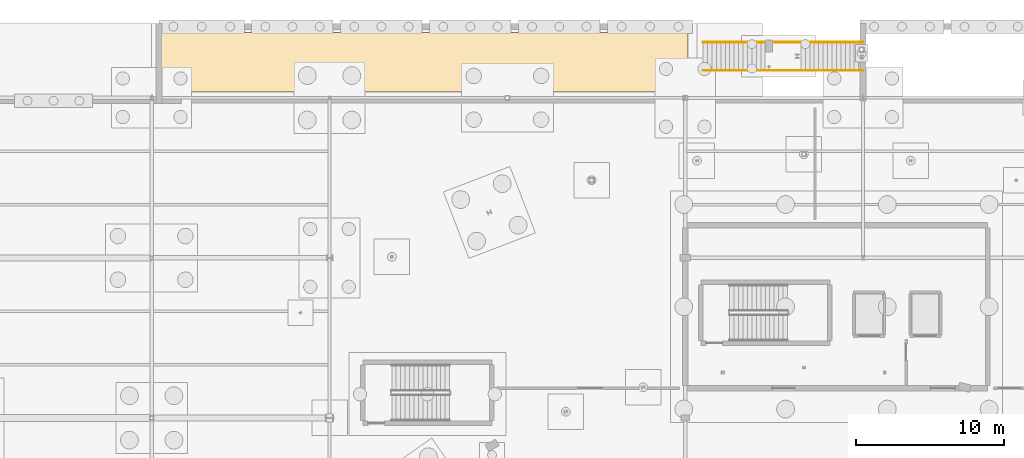
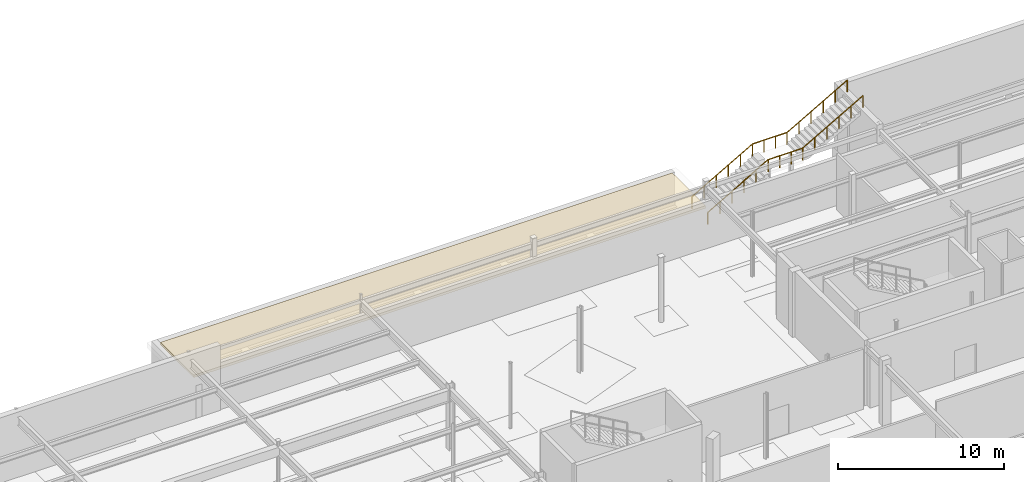
# One storey, part 135 of 136: 2 railings, 1 covering.
"""IFC4 building model written with IfcOpenShell, lengths in metres."""

from ifc_helpers import new_model, si_unit, direction, frame, origin, origin_2d, place, context, subcontext, project, spatial, rectangle, circle, extrude, material, layer, layer_set, type_object, element, save


model = new_model("IFC4")

# Units and contexts
model_context = context("Model", 3, precision=1e-05, world=origin(), true_north=direction((0.0, 1.0)))
body_context = subcontext(model_context, "Body", "Model", "MODEL_VIEW")
ifc_project = project(units=[si_unit("LENGTHUNIT", "METRE"), si_unit("AREAUNIT", "SQUARE_METRE"), si_unit("VOLUMEUNIT", "CUBIC_METRE"), si_unit("PLANEANGLEUNIT", "RADIAN"), si_unit("MASSUNIT", "GRAM", prefix="KILO")], contexts=[model_context])

# Site, building, storey
site_placement = place(None, origin())
site = spatial("IfcSite", under=ifc_project, at=site_placement, CompositionType="ELEMENT")
building_placement = place(site_placement, origin())
building = spatial("IfcBuilding", under=site, at=building_placement, Name="Tarnwether General Hospital", CompositionType="ELEMENT")
storey_placement = place(building_placement, frame((0.0, 0.0, -4.800048828125)))
storey = spatial("IfcBuildingStorey", under=building, at=storey_placement, Name="LG", CompositionType="ELEMENT", Elevation=-4.800048828125)

# Covering
ifc_material_1 = material(Name="Planted green roof media")
ifc_layer = layer(ifc_material_1, 0.179931640625)
ifc_layer_set = layer_set([ifc_layer], Name="Planted green roof media")
covering_type = type_object("IfcCoveringType", Name="CV-RFG-GRN", PredefinedType="ROOFING", material=ifc_layer_set)
covering_placement = place(storey_placement, frame((66.39990234375, 128.39990234375, 2.39990234375), z_axis=(0.0, 0.0, 1.0), x_axis=(1.0, 0.0, 0.0)))
element("IfcCovering", 1, at=covering_placement, inside=storey, type_object=covering_type, Name="Planted Healing Roof Garden Turf CV-GDN-MIDN", PredefinedType="ROOFING", context=body_context, shape_type="SweptSolid", body=[
    extrude(rectangle(XDim=35.60009765625, YDim=4.0, at=origin_2d()), origin(), (0.0, 0.0, 1.0), 0.179931640625),
])

# Railings
ifc_material_2 = material(Name="Anodised aluminium", Category="aluminium")
railing_type = type_object("IfcRailingType", Name="RL-HND-INT", PredefinedType="HANDRAIL", material=ifc_material_2)
railing_1_placement = place(storey_placement, frame((85.199951171875, 127.85009765625, 0.0)))
element("IfcRailing", 2, at=railing_1_placement, inside=storey, type_object=railing_type, Name="Exterior Scarp Stair Handrail ST-17", PredefinedType="HANDRAIL", context=body_context, shape_type="SweptSolid", body=[
    extrude(circle(Radius=0.02392578125, at=origin_2d()), frame((0.0, 0.0, 0.8759765625), z_axis=(0.868227612608, 0.0, 0.496166114024), x_axis=(0.0, 1.0, 0.0)), (0.0, 0.0, 1.0), 4.83740234375),
    extrude(circle(Radius=0.02392578125, at=origin_2d()), frame((4.199951171875, 0.0, 3.27587890625), z_axis=(1.0, 0.0, 0.0), x_axis=(0.0, 1.0, 0.0)), (0.0, 0.0, 1.0), 2.400146484375),
    extrude(circle(Radius=0.02392578125, at=origin_2d()), frame((6.60009765625, 0.0, 3.27587890625), z_axis=(0.868249353848, 0.0, 0.496128067682), x_axis=(0.0, 1.0, 0.0)), (0.0, 0.0, 1.0), 4.837158203125),
    extrude(circle(Radius=0.02099609375, at=origin_2d()), origin(), (0.0, 0.0, 1.0), 0.851806640625),
    extrude(circle(Radius=0.02099609375, at=origin_2d()), frame((0.840087890625, 0.0, 0.47998046875)), (0.0, 0.0, 1.0), 0.851806640625),
    extrude(circle(Radius=0.02099609375, at=origin_2d()), frame((1.679931640625, 0.0, 0.9599609375)), (0.0, 0.0, 1.0), 0.851806640625),
    extrude(circle(Radius=0.02099609375, at=origin_2d()), frame((2.52001953125, 0.0, 1.440185546875)), (0.0, 0.0, 1.0), 0.851806640625),
    extrude(circle(Radius=0.02099609375, at=origin_2d()), frame((3.35986328125, 0.0, 1.920166015625)), (0.0, 0.0, 1.0), 0.851806640625),
    extrude(circle(Radius=0.02099609375, at=origin_2d()), frame((4.199951171875, 0.0, 2.400146484375)), (0.0, 0.0, 1.0), 0.851806640625),
    extrude(circle(Radius=0.02099609375, at=origin_2d()), frame((5.0, 0.0, 2.400146484375)), (0.0, 0.0, 1.0), 0.851806640625),
    extrude(circle(Radius=0.02099609375, at=origin_2d()), frame((5.800048828125, 0.0, 2.400146484375)), (0.0, 0.0, 1.0), 0.851806640625),
    extrude(circle(Radius=0.02099609375, at=origin_2d()), frame((6.60009765625, 0.0, 2.400146484375)), (0.0, 0.0, 1.0), 0.851806640625),
    extrude(circle(Radius=0.02099609375, at=origin_2d()), frame((7.440185546875, 0.0, 2.880126953125)), (0.0, 0.0, 1.0), 0.851806640625),
    extrude(circle(Radius=0.02099609375, at=origin_2d()), frame((8.280029296875, 0.0, 3.360107421875)), (0.0, 0.0, 1.0), 0.851806640625),
    extrude(circle(Radius=0.02099609375, at=origin_2d()), frame((9.1201171875, 0.0, 3.840087890625)), (0.0, 0.0, 1.0), 0.851806640625),
    extrude(circle(Radius=0.02099609375, at=origin_2d()), frame((9.9599609375, 0.0, 4.320068359375)), (0.0, 0.0, 1.0), 0.851806640625),
    extrude(circle(Radius=0.02099609375, at=origin_2d()), frame((10.800048828125, 0.0, 4.800048828125)), (0.0, 0.0, 1.0), 0.851806640625),
])
railing_2_placement = place(storey_placement, frame((85.199951171875, 129.75, 0.0)))
element("IfcRailing", 3, at=railing_2_placement, inside=storey, type_object=railing_type, Name="Exterior Scarp Stair Handrail ST-17", PredefinedType="HANDRAIL", context=body_context, shape_type="SweptSolid", body=[
    extrude(circle(Radius=0.02392578125, at=origin_2d()), frame((0.0, 0.0, 0.8759765625), z_axis=(0.868227612608, 0.0, 0.496166114024), x_axis=(0.0, 1.0, 0.0)), (0.0, 0.0, 1.0), 4.83740234375),
    extrude(circle(Radius=0.02392578125, at=origin_2d()), frame((4.199951171875, 0.0, 3.27587890625), z_axis=(1.0, 0.0, 0.0), x_axis=(0.0, 1.0, 0.0)), (0.0, 0.0, 1.0), 2.400146484375),
    extrude(circle(Radius=0.02392578125, at=origin_2d()), frame((6.60009765625, 0.0, 3.27587890625), z_axis=(0.868249353848, 0.0, 0.496128067682), x_axis=(0.0, 1.0, 0.0)), (0.0, 0.0, 1.0), 4.837158203125),
    extrude(circle(Radius=0.02099609375, at=origin_2d()), origin(), (0.0, 0.0, 1.0), 0.851806640625),
    extrude(circle(Radius=0.02099609375, at=origin_2d()), frame((0.840087890625, 0.0, 0.47998046875)), (0.0, 0.0, 1.0), 0.851806640625),
    extrude(circle(Radius=0.02099609375, at=origin_2d()), frame((1.679931640625, 0.0, 0.9599609375)), (0.0, 0.0, 1.0), 0.851806640625),
    extrude(circle(Radius=0.02099609375, at=origin_2d()), frame((2.52001953125, 0.0, 1.440185546875)), (0.0, 0.0, 1.0), 0.851806640625),
    extrude(circle(Radius=0.02099609375, at=origin_2d()), frame((3.35986328125, 0.0, 1.920166015625)), (0.0, 0.0, 1.0), 0.851806640625),
    extrude(circle(Radius=0.02099609375, at=origin_2d()), frame((4.199951171875, 0.0, 2.400146484375)), (0.0, 0.0, 1.0), 0.851806640625),
    extrude(circle(Radius=0.02099609375, at=origin_2d()), frame((5.0, 0.0, 2.400146484375)), (0.0, 0.0, 1.0), 0.851806640625),
    extrude(circle(Radius=0.02099609375, at=origin_2d()), frame((5.800048828125, 0.0, 2.400146484375)), (0.0, 0.0, 1.0), 0.851806640625),
    extrude(circle(Radius=0.02099609375, at=origin_2d()), frame((6.60009765625, 0.0, 2.400146484375)), (0.0, 0.0, 1.0), 0.851806640625),
    extrude(circle(Radius=0.02099609375, at=origin_2d()), frame((7.440185546875, 0.0, 2.880126953125)), (0.0, 0.0, 1.0), 0.851806640625),
    extrude(circle(Radius=0.02099609375, at=origin_2d()), frame((8.280029296875, 0.0, 3.360107421875)), (0.0, 0.0, 1.0), 0.851806640625),
    extrude(circle(Radius=0.02099609375, at=origin_2d()), frame((9.1201171875, 0.0, 3.840087890625)), (0.0, 0.0, 1.0), 0.851806640625),
    extrude(circle(Radius=0.02099609375, at=origin_2d()), frame((9.9599609375, 0.0, 4.320068359375)), (0.0, 0.0, 1.0), 0.851806640625),
    extrude(circle(Radius=0.02099609375, at=origin_2d()), frame((10.800048828125, 0.0, 4.800048828125)), (0.0, 0.0, 1.0), 0.851806640625),
])

save(model, "model.ifc")
